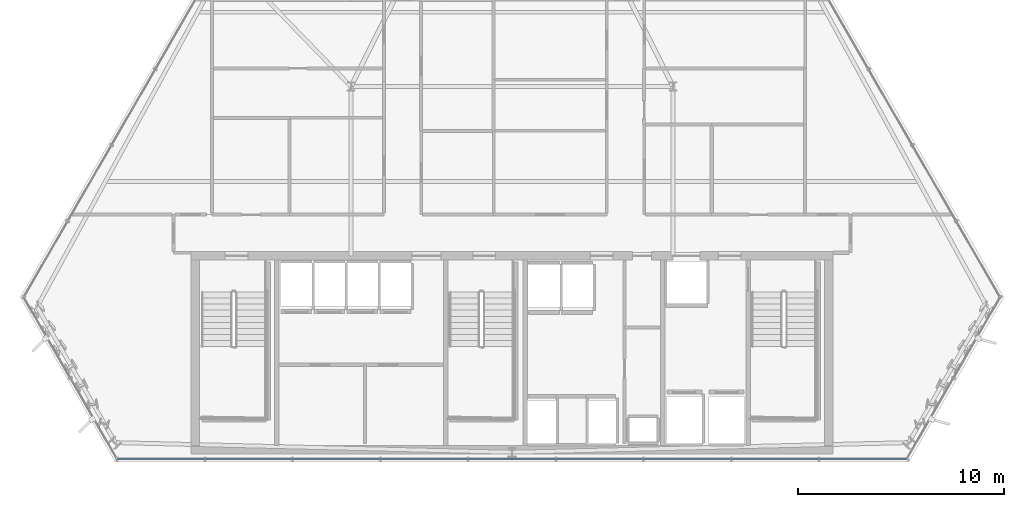
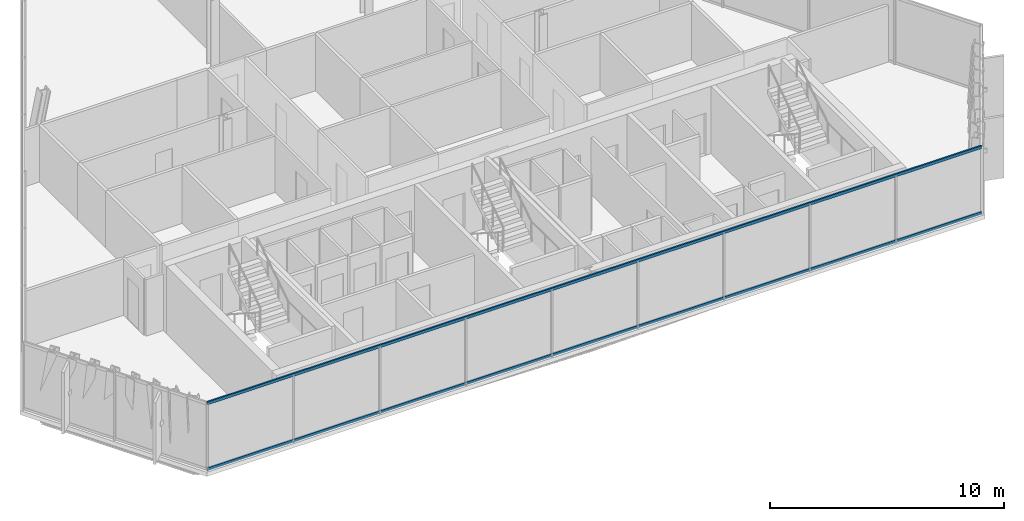
# One storey, part 7 of 34: 2 members, 1 element without a shape of its own.
"""IFC4 building model written with IfcOpenShell, lengths in metres."""

from ifc_helpers import new_model, si_unit, direction, frame, origin, origin_2d, place, context, subcontext, project, spatial, hollow_rectangle, extrude, material, layer, layer_set, material_profile, profile_set, type_object, element, aggregate, save


model = new_model("IFC4")

# Units and contexts
model_context = context("Model", 3, precision=1e-05, world=origin(), true_north=direction((0.0, 1.0)))
body_context = subcontext(model_context, "Body", "Model", "MODEL_VIEW")
ifc_project = project(units=[si_unit("LENGTHUNIT", "METRE"), si_unit("AREAUNIT", "SQUARE_METRE"), si_unit("VOLUMEUNIT", "CUBIC_METRE"), si_unit("PLANEANGLEUNIT", "RADIAN"), si_unit("MASSUNIT", "GRAM", prefix="KILO")], contexts=[model_context])

# Site, building, storey
site_placement = place(None, origin())
site = spatial("IfcSite", under=ifc_project, at=site_placement, CompositionType="ELEMENT")
building_placement = place(site_placement, origin())
building = spatial("IfcBuilding", under=site, at=building_placement, Name="Ndaravel Arena Tower", CompositionType="ELEMENT")
storey_placement = place(building_placement, frame((0.0, 0.0, 199.199951171875)))
storey = spatial("IfcBuildingStorey", under=building, at=storey_placement, Name="L48", CompositionType="ELEMENT", Elevation=199.199951171875)

# Curtain wall, members
ifc_material_1 = material(Name="Aluminium", Category="aluminium")
ifc_layer = layer(ifc_material_1, 0.179931640625)
ifc_layer_set = layer_set([ifc_layer], Name="Aluminium")
curtain_wall_type = type_object("IfcCurtainWallType", Name="CW-SYS-03", PredefinedType="NOTDEFINED", material=ifc_layer_set)
curtain_wall_placement = place(storey_placement, origin())
curtain_wall = element("IfcCurtainWall", 1, at=curtain_wall_placement, inside=storey, type_object=curtain_wall_type, Name="L48 Faceted Crystal Curtain Wall CW-L48-E01", PredefinedType="NOTDEFINED")
ifc_material_2 = material(Name="Aluminium", Category="aluminium")
ifc_material_profile = material_profile(ifc_material_2, hollow_rectangle(XDim=0.074951171875, YDim=0.14990234375, WallThickness=0.00390625, at=origin_2d()), Name="CW TRANSOM 75x150x4")
ifc_profile_set = profile_set([ifc_material_profile], Name="Aluminium")
member_type = type_object("IfcMemberType", Name="MEM-CW-TRN150", PredefinedType="USERDEFINED", material=ifc_profile_set)
member_1_placement = place(storey_placement, frame((22.871337890625, 5.159912109375, 0.0400390625), z_axis=(1.0, 0.0, 0.0), x_axis=(0.0, 1.0, 0.0)))
member_1 = element("IfcMember", 2, at=member_1_placement, type_object=member_type, Name="CW-L48-E01 Transom 01", ObjectType="TRANSOM", PredefinedType="USERDEFINED", context=body_context, shape_type="SweptSolid", body=[
    extrude(hollow_rectangle(XDim=0.074951171875, YDim=0.14990234375, WallThickness=0.00390625, at=origin_2d()), origin(), (0.0, 0.0, 1.0), 38.25732421875),
])
member_2_placement = place(storey_placement, frame((22.871337890625, 5.159912109375, 3.47998046875), z_axis=(1.0, 0.0, 0.0), x_axis=(0.0, 1.0, 0.0)))
member_2 = element("IfcMember", 3, at=member_2_placement, type_object=member_type, Name="CW-L48-E01 Transom 02", ObjectType="TRANSOM", PredefinedType="USERDEFINED", context=body_context, shape_type="SweptSolid", body=[
    extrude(hollow_rectangle(XDim=0.074951171875, YDim=0.14990234375, WallThickness=0.00390625, at=origin_2d()), origin(), (0.0, 0.0, 1.0), 38.25732421875),
])
aggregate(curtain_wall, [member_1, member_2])

save(model, "model.ifc")
